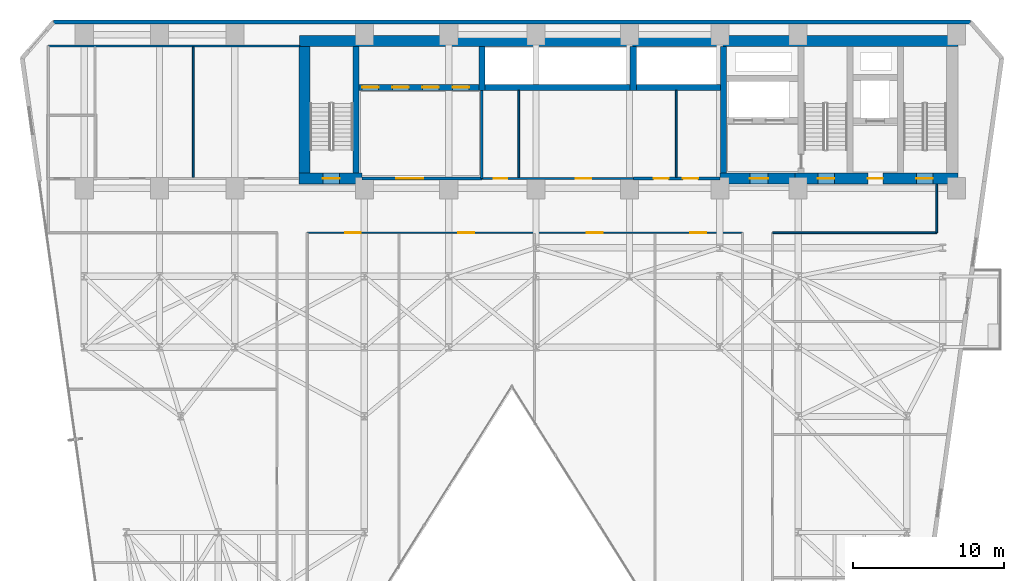
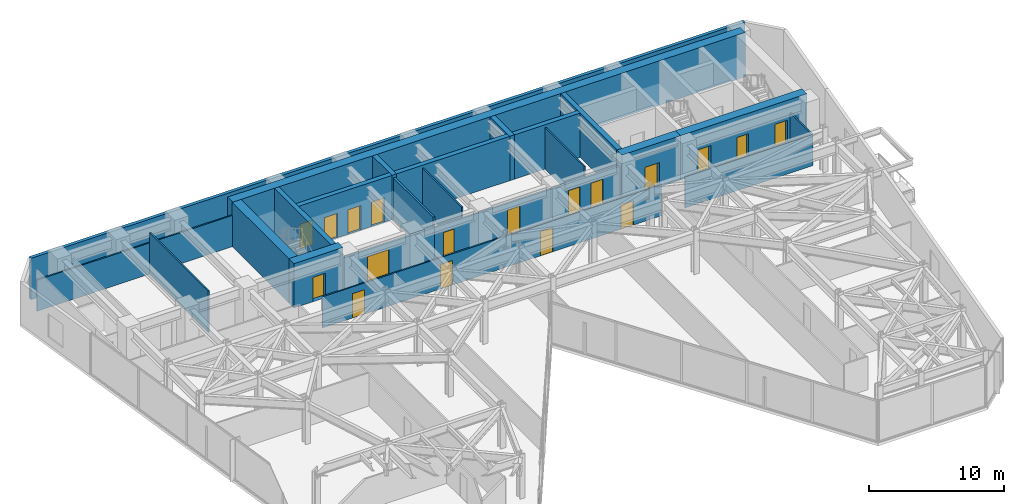
# One storey, part 20 of 25: 24 walls, 18 doors, 18 openings.
"""IFC4 building model written with IfcOpenShell, lengths in metres."""

from ifc_helpers import new_model, si_unit, direction, frame, frame_2d, origin, place, context, subcontext, project, spatial, rectangle, extrude, material, layer, layer_set, type_object, element, fill, save


model = new_model("IFC4")

# Units and contexts
model_context = context("Model", 3, precision=1e-05, world=origin(), true_north=direction((0.0, 1.0)))
body_context = subcontext(model_context, "Body", "Model", "MODEL_VIEW")
ifc_project = project(units=[si_unit("LENGTHUNIT", "METRE"), si_unit("AREAUNIT", "SQUARE_METRE"), si_unit("VOLUMEUNIT", "CUBIC_METRE"), si_unit("PLANEANGLEUNIT", "RADIAN"), si_unit("MASSUNIT", "GRAM", prefix="KILO")], contexts=[model_context])

# Site, building, storey
site_placement = place(None, origin())
site = spatial("IfcSite", under=ifc_project, at=site_placement, CompositionType="ELEMENT")
building_placement = place(site_placement, origin())
building = spatial("IfcBuilding", under=site, at=building_placement, Name="Kravanh Interchange Tower", CompositionType="ELEMENT")
storey_placement = place(building_placement, frame((0.0, 0.0, 73.5)))
storey = spatial("IfcBuildingStorey", under=building, at=storey_placement, Name="L17", CompositionType="ELEMENT", Elevation=73.5)

# Walls
ifc_material_1 = material(Name="Double Acoustic Gypsum Board and Mineral Wool")
ifc_layer_1 = layer(ifc_material_1, 0.1201171875)
ifc_layer_set_1 = layer_set([ifc_layer_1], Name="Acoustic Office Drywall Partition 120mm")
wall_type_1 = type_object("IfcWallType", Name="Acoustic Office Drywall Partition 120mm", PredefinedType="PARTITIONING", material=ifc_layer_set_1)
for number, where, z_axis, x_axis, name in (
    (1, (47.89990234375, 38.068115234375, 0.0), (0.0, 0.0, 1.0), (0.0, 1.0, 0.0), "L17 Interior Partition 2"),
    (2, (37.449951171875, 38.068115234375, 0.0), (0.0, 0.0, 1.0), (0.0, 1.0, 0.0), "L17 Interior Partition 6"),
):
    element("IfcWall", number, at=place(storey_placement, frame(where, z_axis=z_axis, x_axis=x_axis)), inside=storey, type_object=wall_type_1, Name=name, PredefinedType="PARTITIONING", context=body_context, shape_type="SweptSolid", body=[
        extrude(rectangle(XDim=5.77392578125, YDim=0.1201171875, at=frame_2d((2.886962890625, 0.0))), origin(), (0.0, 0.0, 1.0), 3.739990234375),
    ])
wall_1_placement = place(storey_placement, frame((6.219970703125, 46.800048828125, 0.0), z_axis=(0.0, 0.0, 1.0), x_axis=(1.0, 0.0, 0.0)))
element("IfcWall", 3, at=wall_1_placement, inside=storey, type_object=wall_type_1, Name="L17 Restroom North Enclosure 9", PredefinedType="PARTITIONING", context=body_context, shape_type="SweptSolid", body=[
    extrude(rectangle(XDim=16.679931640625, YDim=0.1201171875, at=frame_2d((8.33984375, 0.0))), origin(), (0.0, 0.0, 1.0), 2.81298828125),
])
wall_2_placement = place(storey_placement, frame((15.840087890625, 38.068115234375, 0.0), z_axis=(0.0, 0.0, 1.0), x_axis=(0.0, 1.0, 0.0)))
element("IfcWall", 4, at=wall_2_placement, inside=storey, type_object=wall_type_1, Name="L17 Interior Partition 11", PredefinedType="PARTITIONING", context=body_context, shape_type="SweptSolid", body=[
    extrude(rectangle(XDim=8.663818359375, YDim=0.1201171875, at=frame_2d((4.33203125, 0.0))), origin(), (0.0, 0.0, 1.0), 3.739990234375),
])

# Wall, openings, doors
wall_3_placement = place(storey_placement, frame((23.39990234375, 34.39990234375, 0.0), z_axis=(0.0, 0.0, 1.0), x_axis=(1.0, 0.0, 0.0)))
wall_3 = element("IfcWall", 5, at=wall_3_placement, inside=storey, type_object=wall_type_1, Name="L17 Interior Partition 14", PredefinedType="PARTITIONING", context=body_context, shape_type="SweptSolid", body=[
    extrude(rectangle(XDim=28.900146484375, YDim=0.1201171875, at=frame_2d((14.4501953125, 0.0))), origin(), (0.0, 0.0, 1.0), 2.81298828125),
])
opening_1_placement = place(wall_3_placement, frame((2.52490234375, 0.0, 0.0)))
opening_1 = element("IfcOpeningElement", 6, at=opening_1_placement, cuts=wall_3, Name="Opening D-105", PredefinedType="OPENING", context=body_context, shape_type="SweptSolid", body=[
    extrude(rectangle(XDim=1.050048828125, YDim=2.199951171875, at=frame_2d((0.52490234375, 1.10009765625))), frame((0.0, 0.070068359375, 0.0), z_axis=(0.0, -1.0, 0.0), x_axis=(1.0, 0.0, 0.0)), (0.0, 0.0, 1.0), 0.14013671875),
])
opening_2_placement = place(wall_3_placement, frame((10.034912109375, 0.0, 0.0)))
opening_2 = element("IfcOpeningElement", 7, at=opening_2_placement, cuts=wall_3, Name="Opening D-105", PredefinedType="OPENING", context=body_context, shape_type="SweptSolid", body=[
    extrude(rectangle(XDim=1.050048828125, YDim=2.199951171875, at=frame_2d((0.52490234375, 1.10009765625))), frame((0.0, 0.070068359375, 0.0), z_axis=(0.0, -1.0, 0.0), x_axis=(1.0, 0.0, 0.0)), (0.0, 0.0, 1.0), 0.14013671875),
])
opening_3_placement = place(wall_3_placement, frame((18.574951171875, 0.0, 0.0)))
opening_3 = element("IfcOpeningElement", 8, at=opening_3_placement, cuts=wall_3, Name="Opening D-105", PredefinedType="OPENING", context=body_context, shape_type="SweptSolid", body=[
    extrude(rectangle(XDim=1.050048828125, YDim=2.199951171875, at=frame_2d((0.52490234375, 1.10009765625))), frame((0.0, 0.070068359375, 0.0), z_axis=(0.0, -1.0, 0.0), x_axis=(1.0, 0.0, 0.0)), (0.0, 0.0, 1.0), 0.14013671875),
])
opening_4_placement = place(wall_3_placement, frame((25.434814453125, 0.0, 0.0)))
opening_4 = element("IfcOpeningElement", 9, at=opening_4_placement, cuts=wall_3, Name="Opening D-105", PredefinedType="OPENING", context=body_context, shape_type="SweptSolid", body=[
    extrude(rectangle(XDim=1.050048828125, YDim=2.199951171875, at=frame_2d((0.52490234375, 1.10009765625))), frame((0.0, 0.070068359375, 0.0), z_axis=(0.0, -1.0, 0.0), x_axis=(1.0, 0.0, 0.0)), (0.0, 0.0, 1.0), 0.14013671875),
])
ifc_material_2 = material(Name="Acoustic Glazed Oak and Aluminium", Category="aluminium")
door_type_1 = type_object("IfcDoorType", Name="Office Workplace Door 1050x2200", OperationType="NOTDEFINED", PredefinedType="DOOR", material=ifc_material_2)
door_1_placement = place(opening_1_placement, origin())
door_1 = element("IfcDoor", 10, at=door_1_placement, inside=storey, type_object=door_type_1, Name="L17 Diplomatic Caucus Meeting Door", OperationType="SINGLE_SWING_RIGHT", OverallHeight=2.199951171875, OverallWidth=1.050048828125, PredefinedType="DOOR", context=body_context, shape_type="SweptSolid", body=[
    extrude(rectangle(XDim=1.050048828125, YDim=2.199951171875, at=frame_2d((0.52490234375, 1.10009765625))), frame((0.0, 0.02490234375, 0.0), z_axis=(0.0, -1.0, 0.0), x_axis=(1.0, 0.0, 0.0)), (0.0, 0.0, 1.0), 0.050048828125),
])
fill(opening_1, door_1)
door_2_placement = place(opening_2_placement, origin())
door_2 = element("IfcDoor", 11, at=door_2_placement, inside=storey, type_object=door_type_1, Name="L17 Press Seminar Meeting Door", OperationType="SINGLE_SWING_LEFT", OverallHeight=2.199951171875, OverallWidth=1.050048828125, PredefinedType="DOOR", context=body_context, shape_type="SweptSolid", body=[
    extrude(rectangle(XDim=1.050048828125, YDim=2.199951171875, at=frame_2d((0.52490234375, 1.10009765625))), frame((0.0, 0.02490234375, 0.0), z_axis=(0.0, -1.0, 0.0), x_axis=(1.0, 0.0, 0.0)), (0.0, 0.0, 1.0), 0.050048828125),
])
fill(opening_2, door_2)
door_3_placement = place(opening_3_placement, origin())
door_3 = element("IfcDoor", 12, at=door_3_placement, inside=storey, type_object=door_type_1, Name="L17 Chancery Office Door", OperationType="SINGLE_SWING_RIGHT", OverallHeight=2.199951171875, OverallWidth=1.050048828125, PredefinedType="DOOR", context=body_context, shape_type="SweptSolid", body=[
    extrude(rectangle(XDim=1.050048828125, YDim=2.199951171875, at=frame_2d((0.52490234375, 1.10009765625))), frame((0.0, 0.02490234375, 0.0), z_axis=(0.0, -1.0, 0.0), x_axis=(1.0, 0.0, 0.0)), (0.0, 0.0, 1.0), 0.050048828125),
])
fill(opening_3, door_3)
door_4_placement = place(opening_4_placement, origin())
door_4 = element("IfcDoor", 13, at=door_4_placement, inside=storey, type_object=door_type_1, Name="L17 Butler Pantry Kitchenette Door", OperationType="SINGLE_SWING_LEFT", OverallHeight=2.199951171875, OverallWidth=1.050048828125, PredefinedType="DOOR", context=body_context, shape_type="SweptSolid", body=[
    extrude(rectangle(XDim=1.050048828125, YDim=2.199951171875, at=frame_2d((0.52490234375, 1.10009765625))), frame((0.0, 0.02490234375, 0.0), z_axis=(0.0, -1.0, 0.0), x_axis=(1.0, 0.0, 0.0)), (0.0, 0.0, 1.0), 0.050048828125),
])
fill(opening_4, door_4)

# Walls
wall_4_placement = place(storey_placement, frame((54.300048828125, 34.39990234375, 0.0), z_axis=(0.0, 0.0, 1.0), x_axis=(1.0, 0.0, 0.0)))
element("IfcWall", 14, at=wall_4_placement, inside=storey, type_object=wall_type_1, Name="L17 Interior Partition 15", PredefinedType="PARTITIONING", context=body_context, shape_type="SweptSolid", body=[
    extrude(rectangle(XDim=10.89990234375, YDim=0.1201171875, at=frame_2d((5.449951171875, 0.0))), origin(), (0.0, 0.0, 1.0), 2.81298828125),
])
wall_5_placement = place(storey_placement, frame((65.199951171875, 34.39990234375, 0.0), z_axis=(0.0, 0.0, 1.0), x_axis=(0.0, 1.0, 0.0)))
element("IfcWall", 15, at=wall_5_placement, inside=storey, type_object=wall_type_1, Name="L17 Interior Partition 17", PredefinedType="PARTITIONING", context=body_context, shape_type="SweptSolid", body=[
    extrude(rectangle(XDim=3.217041015625, YDim=0.1201171875, at=frame_2d((1.6083984375, 0.0))), origin(), (0.0, 0.0, 1.0), 2.81298828125),
])
ifc_material_3 = material(Name="Concrete C80/95", Category="concrete")
ifc_layer_2 = layer(ifc_material_3, 0.39990234375)
ifc_layer_set_2 = layer_set([ifc_layer_2], Name="Core Shear Wall Concrete C80/95 400mm")
wall_type_2 = type_object("IfcWallType", Name="Core Shear Wall Concrete C80/95 400mm", PredefinedType="SHEAR", material=ifc_layer_set_2)
wall_6_placement = place(storey_placement, frame((51.050048828125, 38.375, 0.0), z_axis=(0.0, 0.0, 1.0), x_axis=(0.0, 1.0, 0.0)))
element("IfcWall", 16, at=wall_6_placement, inside=storey, type_object=wall_type_2, Name="L17 Firefighting Lobby West Wall", PredefinedType="SHEAR", context=body_context, shape_type="SweptSolid", body=[
    extrude(rectangle(XDim=8.375, YDim=0.39990234375, at=frame_2d((4.1875, 0.0))), origin(), (0.0, 0.0, 1.0), 4.0),
])
wall_7_placement = place(storey_placement, frame((45.25, 44.050048828125, 0.0), z_axis=(0.0, 0.0, 1.0), x_axis=(1.0, 0.0, 0.0)))
element("IfcWall", 17, at=wall_7_placement, inside=storey, type_object=wall_type_2, Name="L17 High-Rise Lift Shaft South Wall", PredefinedType="SHEAR", context=body_context, shape_type="SweptSolid", body=[
    extrude(rectangle(XDim=5.60009765625, YDim=0.39990234375, at=frame_2d((2.800048828125, 0.0))), origin(), (0.0, 0.0, 1.0), 4.0),
])
wall_8_placement = place(storey_placement, frame((45.050048828125, 43.85009765625, 0.0), z_axis=(0.0, 0.0, 1.0), x_axis=(0.0, 1.0, 0.0)))
element("IfcWall", 18, at=wall_8_placement, inside=storey, type_object=wall_type_2, Name="L17 High-Rise Lift Shaft West Wall", PredefinedType="SHEAR", context=body_context, shape_type="SweptSolid", body=[
    extrude(rectangle(XDim=2.89990234375, YDim=0.39990234375, at=frame_2d((1.449951171875, 0.0))), origin(), (0.0, 0.0, 1.0), 4.0),
])
wall_9_placement = place(storey_placement, frame((35.199951171875, 44.050048828125, 0.0), z_axis=(0.0, 0.0, 1.0), x_axis=(1.0, 0.0, 0.0)))
element("IfcWall", 19, at=wall_9_placement, inside=storey, type_object=wall_type_2, Name="L17 Mid-Rise Lift Shaft South Wall", PredefinedType="SHEAR", context=body_context, shape_type="SweptSolid", body=[
    extrude(rectangle(XDim=9.650146484375, YDim=0.39990234375, at=frame_2d((4.8251953125, 0.0))), origin(), (0.0, 0.0, 1.0), 4.0),
])
wall_10_placement = place(storey_placement, frame((35.0, 43.85009765625, 0.0), z_axis=(0.0, 0.0, 1.0), x_axis=(0.0, 1.0, 0.0)))
element("IfcWall", 20, at=wall_10_placement, inside=storey, type_object=wall_type_2, Name="L17 Mid-Rise Lift Shaft West Wall", PredefinedType="SHEAR", context=body_context, shape_type="SweptSolid", body=[
    extrude(rectangle(XDim=2.89990234375, YDim=0.39990234375, at=frame_2d((1.449951171875, 0.0))), origin(), (0.0, 0.0, 1.0), 4.0),
])

# Wall, openings, doors
wall_11_placement = place(storey_placement, frame((26.85009765625, 44.050048828125, 0.0), z_axis=(0.0, 0.0, 1.0), x_axis=(1.0, 0.0, 0.0)))
wall_11 = element("IfcWall", 21, at=wall_11_placement, inside=storey, type_object=wall_type_2, Name="L17 Low-Rise Lift Shaft South Wall", PredefinedType="SHEAR", context=body_context, shape_type="SweptSolid", body=[
    extrude(rectangle(XDim=7.949951171875, YDim=0.39990234375, at=frame_2d((3.97509765625, 0.0))), origin(), (0.0, 0.0, 1.0), 4.0),
])
opening_5_placement = place(wall_11_placement, frame((0.199951171875, 0.0, 0.0)))
opening_5 = element("IfcOpeningElement", 22, at=opening_5_placement, cuts=wall_11, Name="Opening LD01", PredefinedType="OPENING", context=body_context, shape_type="SweptSolid", body=[
    extrude(rectangle(XDim=1.10009765625, YDim=2.199951171875, at=frame_2d((0.550048828125, 1.10009765625))), frame((0.0, 0.2099609375, 0.0), z_axis=(0.0, -1.0, 0.0), x_axis=(1.0, 0.0, 0.0)), (0.0, 0.0, 1.0), 0.419921875),
])
opening_6_placement = place(wall_11_placement, frame((2.199951171875, 0.0, 0.0)))
opening_6 = element("IfcOpeningElement", 23, at=opening_6_placement, cuts=wall_11, Name="Opening LD01", PredefinedType="OPENING", context=body_context, shape_type="SweptSolid", body=[
    extrude(rectangle(XDim=1.10009765625, YDim=2.199951171875, at=frame_2d((0.550048828125, 1.10009765625))), frame((0.0, 0.2099609375, 0.0), z_axis=(0.0, -1.0, 0.0), x_axis=(1.0, 0.0, 0.0)), (0.0, 0.0, 1.0), 0.419921875),
])
opening_7_placement = place(wall_11_placement, frame((4.199951171875, 0.0, 0.0)))
opening_7 = element("IfcOpeningElement", 24, at=opening_7_placement, cuts=wall_11, Name="Opening LD01", PredefinedType="OPENING", context=body_context, shape_type="SweptSolid", body=[
    extrude(rectangle(XDim=1.10009765625, YDim=2.199951171875, at=frame_2d((0.550048828125, 1.10009765625))), frame((0.0, 0.2099609375, 0.0), z_axis=(0.0, -1.0, 0.0), x_axis=(1.0, 0.0, 0.0)), (0.0, 0.0, 1.0), 0.419921875),
])
opening_8_placement = place(wall_11_placement, frame((6.199951171875, 0.0, 0.0)))
opening_8 = element("IfcOpeningElement", 25, at=opening_8_placement, cuts=wall_11, Name="Opening LD01", PredefinedType="OPENING", context=body_context, shape_type="SweptSolid", body=[
    extrude(rectangle(XDim=1.10009765625, YDim=2.199951171875, at=frame_2d((0.550048828125, 1.10009765625))), frame((0.0, 0.2099609375, 0.0), z_axis=(0.0, -1.0, 0.0), x_axis=(1.0, 0.0, 0.0)), (0.0, 0.0, 1.0), 0.419921875),
])
ifc_material_4 = material(Name="Stainless Steel 304", Category="steel")
door_type_2 = type_object("IfcDoorType", Name="Passenger Lift Sliding Landing Door 1100x2200", OperationType="DOUBLE_DOOR_SLIDING", PredefinedType="DOOR", material=ifc_material_4)
door_5_placement = place(opening_5_placement, origin())
door_5 = element("IfcDoor", 26, at=door_5_placement, inside=storey, type_object=door_type_2, Name="L17 Lift LP-L1 Landing Door", OperationType="DOUBLE_DOOR_SLIDING", OverallHeight=2.199951171875, OverallWidth=1.10009765625, PredefinedType="DOOR", context=body_context, shape_type="SweptSolid", body=[
    extrude(rectangle(XDim=1.10009765625, YDim=2.199951171875, at=frame_2d((0.550048828125, 1.10009765625))), frame((0.0, 0.02490234375, 0.0), z_axis=(0.0, -1.0, 0.0), x_axis=(1.0, 0.0, 0.0)), (0.0, 0.0, 1.0), 0.050048828125),
])
fill(opening_5, door_5)
door_6_placement = place(opening_6_placement, origin())
door_6 = element("IfcDoor", 27, at=door_6_placement, inside=storey, type_object=door_type_2, Name="L17 Lift LP-L2 Landing Door", OperationType="DOUBLE_DOOR_SLIDING", OverallHeight=2.199951171875, OverallWidth=1.10009765625, PredefinedType="DOOR", context=body_context, shape_type="SweptSolid", body=[
    extrude(rectangle(XDim=1.10009765625, YDim=2.199951171875, at=frame_2d((0.550048828125, 1.10009765625))), frame((0.0, 0.02490234375, 0.0), z_axis=(0.0, -1.0, 0.0), x_axis=(1.0, 0.0, 0.0)), (0.0, 0.0, 1.0), 0.050048828125),
])
fill(opening_6, door_6)
door_7_placement = place(opening_7_placement, origin())
door_7 = element("IfcDoor", 28, at=door_7_placement, inside=storey, type_object=door_type_2, Name="L17 Lift LP-L3 Landing Door", OperationType="DOUBLE_DOOR_SLIDING", OverallHeight=2.199951171875, OverallWidth=1.10009765625, PredefinedType="DOOR", context=body_context, shape_type="SweptSolid", body=[
    extrude(rectangle(XDim=1.10009765625, YDim=2.199951171875, at=frame_2d((0.550048828125, 1.10009765625))), frame((0.0, 0.02490234375, 0.0), z_axis=(0.0, -1.0, 0.0), x_axis=(1.0, 0.0, 0.0)), (0.0, 0.0, 1.0), 0.050048828125),
])
fill(opening_7, door_7)
door_8_placement = place(opening_8_placement, origin())
door_8 = element("IfcDoor", 29, at=door_8_placement, inside=storey, type_object=door_type_2, Name="L17 Lift LP-L4 Landing Door", OperationType="DOUBLE_DOOR_SLIDING", OverallHeight=2.199951171875, OverallWidth=1.10009765625, PredefinedType="DOOR", context=body_context, shape_type="SweptSolid", body=[
    extrude(rectangle(XDim=1.10009765625, YDim=2.199951171875, at=frame_2d((0.550048828125, 1.10009765625))), frame((0.0, 0.02490234375, 0.0), z_axis=(0.0, -1.0, 0.0), x_axis=(1.0, 0.0, 0.0)), (0.0, 0.0, 1.0), 0.050048828125),
])
fill(opening_8, door_8)

# Walls
wall_12_placement = place(storey_placement, frame((26.64990234375, 38.375, 0.0), z_axis=(0.0, 0.0, 1.0), x_axis=(0.0, 1.0, 0.0)))
element("IfcWall", 30, at=wall_12_placement, inside=storey, type_object=wall_type_2, Name="L17 Stair ST3 East Shear Wall", PredefinedType="SHEAR", context=body_context, shape_type="SweptSolid", body=[
    extrude(rectangle(XDim=8.375, YDim=0.39990234375, at=frame_2d((4.1875, 0.0))), origin(), (0.0, 0.0, 1.0), 4.0),
])
ifc_material_5 = material(Name="Concrete C80/95", Category="concrete")
ifc_layer_3 = layer(ifc_material_5, 0.75)
ifc_layer_set_3 = layer_set([ifc_layer_3], Name="Core Shear Wall Concrete C80/95 750mm")
wall_type_3 = type_object("IfcWallType", Name="Core Shear Wall Concrete C80/95 750mm", PredefinedType="SHEAR", material=ifc_layer_set_3)
wall_13_placement = place(storey_placement, frame((22.89990234375, 47.125, 0.0), z_axis=(0.0, 0.0, 1.0), x_axis=(1.0, 0.0, 0.0)))
element("IfcWall", 31, at=wall_13_placement, inside=storey, type_object=wall_type_3, Name="L17 North Core Shear Wall", PredefinedType="SHEAR", context=body_context, shape_type="SweptSolid", body=[
    extrude(rectangle(XDim=43.7001953125, YDim=0.75, at=frame_2d((21.85009765625, 0.0))), origin(), (0.0, 0.0, 1.0), 4.0),
])

# Wall, openings, doors
wall_14_placement = place(storey_placement, frame((55.800048828125, 38.0, 0.0), z_axis=(0.0, 0.0, 1.0), x_axis=(1.0, 0.0, 0.0)))
wall_14 = element("IfcWall", 32, at=wall_14_placement, inside=storey, type_object=wall_type_3, Name="L17 East Core South Shear Wall", PredefinedType="SHEAR", context=body_context, shape_type="SweptSolid", body=[
    extrude(rectangle(XDim=10.800048828125, YDim=0.75, at=frame_2d((5.39990234375, 0.0))), origin(), (0.0, 0.0, 1.0), 4.0),
])
opening_9_placement = place(wall_14_placement, frame((1.5, 0.0, 0.0)))
opening_9 = element("IfcOpeningElement", 33, at=opening_9_placement, cuts=wall_14, Name="Opening D-STAIR-110", PredefinedType="OPENING", context=body_context, shape_type="SweptSolid", body=[
    extrude(rectangle(XDim=1.10009765625, YDim=2.199951171875, at=frame_2d((0.550048828125, 1.10009765625))), frame((0.0, 0.385009765625, 0.0), z_axis=(0.0, -1.0, 0.0), x_axis=(1.0, 0.0, 0.0)), (0.0, 0.0, 1.0), 0.77001953125),
])
opening_10_placement = place(wall_14_placement, frame((4.820068359375, 0.0, 0.0)))
opening_10 = element("IfcOpeningElement", 34, at=opening_10_placement, cuts=wall_14, Name="Opening D-HOTEL-100", PredefinedType="OPENING", context=body_context, shape_type="SweptSolid", body=[
    extrude(rectangle(XDim=1.0, YDim=2.14990234375, at=frame_2d((0.5, 1.074951171875))), frame((0.0, 0.385009765625, 0.0), z_axis=(0.0, -1.0, 0.0), x_axis=(1.0, 0.0, 0.0)), (0.0, 0.0, 1.0), 0.77001953125),
])
opening_11_placement = place(wall_14_placement, frame((8.050048828125, 0.0, 0.0)))
opening_11 = element("IfcOpeningElement", 35, at=opening_11_placement, cuts=wall_14, Name="Opening D-STAIR-110", PredefinedType="OPENING", context=body_context, shape_type="SweptSolid", body=[
    extrude(rectangle(XDim=1.10009765625, YDim=2.199951171875, at=frame_2d((0.550048828125, 1.10009765625))), frame((0.0, 0.385009765625, 0.0), z_axis=(0.0, -1.0, 0.0), x_axis=(1.0, 0.0, 0.0)), (0.0, 0.0, 1.0), 0.77001953125),
])
ifc_material_6 = material(Name="Structural Steel S355", Category="steel")
door_type_3 = type_object("IfcDoorType", Name="Fire-Rated Exit Stair Door 1100x2200", OperationType="NOTDEFINED", PredefinedType="DOOR", material=ifc_material_6)
door_9_placement = place(opening_9_placement, origin())
door_9 = element("IfcDoor", 36, at=door_9_placement, inside=storey, type_object=door_type_3, Name="L17 Exit Stair ST2 Door", OperationType="SINGLE_SWING_RIGHT", OverallHeight=2.199951171875, OverallWidth=1.10009765625, PredefinedType="DOOR", context=body_context, shape_type="SweptSolid", body=[
    extrude(rectangle(XDim=1.10009765625, YDim=2.199951171875, at=frame_2d((0.550048828125, 1.10009765625))), frame((0.0, 0.02490234375, 0.0), z_axis=(0.0, -1.0, 0.0), x_axis=(1.0, 0.0, 0.0)), (0.0, 0.0, 1.0), 0.050048828125),
])
fill(opening_9, door_9)
door_10_placement = place(opening_11_placement, origin())
door_10 = element("IfcDoor", 37, at=door_10_placement, inside=storey, type_object=door_type_3, Name="L17 Exit Stair ST1 Door", OperationType="SINGLE_SWING_RIGHT", OverallHeight=2.199951171875, OverallWidth=1.10009765625, PredefinedType="DOOR", context=body_context, shape_type="SweptSolid", body=[
    extrude(rectangle(XDim=1.10009765625, YDim=2.199951171875, at=frame_2d((0.550048828125, 1.10009765625))), frame((0.0, 0.02490234375, 0.0), z_axis=(0.0, -1.0, 0.0), x_axis=(1.0, 0.0, 0.0)), (0.0, 0.0, 1.0), 0.050048828125),
])
fill(opening_11, door_10)
ifc_material_7 = material(Name="Fire-Rated Solid Timber Leaf", Category="wood")
door_type_4 = type_object("IfcDoorType", Name="Fire-Rated Suite Entrance Door 1000x2150", OperationType="NOTDEFINED", PredefinedType="DOOR", material=ifc_material_7)
door_11_placement = place(opening_10_placement, origin())
door_11 = element("IfcDoor", 38, at=door_11_placement, inside=storey, type_object=door_type_4, Name="L17 Service Lift Lobby Door", OperationType="SINGLE_SWING_RIGHT", OverallHeight=2.14990234375, OverallWidth=1.0, PredefinedType="DOOR", context=body_context, shape_type="SweptSolid", body=[
    extrude(rectangle(XDim=1.0, YDim=2.14990234375, at=frame_2d((0.5, 1.074951171875))), frame((0.0, 0.02490234375, 0.0), z_axis=(0.0, -1.0, 0.0), x_axis=(1.0, 0.0, 0.0)), (0.0, 0.0, 1.0), 0.050048828125),
])
fill(opening_10, door_11)

# Wall, opening, door
wall_15_placement = place(storey_placement, frame((50.800048828125, 38.0, 0.0), z_axis=(0.0, 0.0, 1.0), x_axis=(1.0, 0.0, 0.0)))
wall_15 = element("IfcWall", 39, at=wall_15_placement, inside=storey, type_object=wall_type_3, Name="L17 Firefighting Lobby South Shear Wall", PredefinedType="SHEAR", context=body_context, shape_type="SweptSolid", body=[
    extrude(rectangle(XDim=5.0, YDim=0.75, at=frame_2d((2.5, 0.0))), origin(), (0.0, 0.0, 1.0), 4.0),
])
opening_12_placement = place(wall_15_placement, frame((2.0, 0.0, 0.0)))
opening_12 = element("IfcOpeningElement", 40, at=opening_12_placement, cuts=wall_15, Name="Opening D-FSAE-120", PredefinedType="OPENING", context=body_context, shape_type="SweptSolid", body=[
    extrude(rectangle(XDim=1.199951171875, YDim=2.199951171875, at=frame_2d((0.60009765625, 1.10009765625))), frame((0.0, 0.385009765625, 0.0), z_axis=(0.0, -1.0, 0.0), x_axis=(1.0, 0.0, 0.0)), (0.0, 0.0, 1.0), 0.77001953125),
])
ifc_material_8 = material(Name="Structural Steel S355", Category="steel")
door_type_5 = type_object("IfcDoorType", Name="Fire-Rated Refuge and FSAE Door 1200x2200", OperationType="NOTDEFINED", PredefinedType="DOOR", material=ifc_material_8)
door_12_placement = place(opening_12_placement, origin())
door_12 = element("IfcDoor", 41, at=door_12_placement, inside=storey, type_object=door_type_5, Name="L17 Firefighting Lobby Corridor Door", OperationType="SINGLE_SWING_RIGHT", OverallHeight=2.199951171875, OverallWidth=1.199951171875, PredefinedType="DOOR", context=body_context, shape_type="SweptSolid", body=[
    extrude(rectangle(XDim=1.199951171875, YDim=2.199951171875, at=frame_2d((0.60009765625, 1.10009765625))), frame((0.0, 0.02490234375, 0.0), z_axis=(0.0, -1.0, 0.0), x_axis=(1.0, 0.0, 0.0)), (0.0, 0.0, 1.0), 0.050048828125),
])
fill(opening_12, door_12)

wall_16_placement = place(storey_placement, frame((22.85009765625, 38.0, 0.0), z_axis=(0.0, 0.0, 1.0), x_axis=(1.0, 0.0, 0.0)))
wall_16 = element("IfcWall", 42, at=wall_16_placement, inside=storey, type_object=wall_type_3, Name="L17 Stair ST3 South Shear Wall", PredefinedType="SHEAR", context=body_context, shape_type="SweptSolid", body=[
    extrude(rectangle(XDim=4.199951171875, YDim=0.75, at=frame_2d((2.10009765625, 0.0))), origin(), (0.0, 0.0, 1.0), 4.0),
])
opening_13_placement = place(wall_16_placement, frame((1.60009765625, 0.0, 0.0)))
opening_13 = element("IfcOpeningElement", 43, at=opening_13_placement, cuts=wall_16, Name="Opening D-STAIR-110", PredefinedType="OPENING", context=body_context, shape_type="SweptSolid", body=[
    extrude(rectangle(XDim=1.10009765625, YDim=2.199951171875, at=frame_2d((0.550048828125, 1.10009765625))), frame((0.0, 0.385009765625, 0.0), z_axis=(0.0, -1.0, 0.0), x_axis=(1.0, 0.0, 0.0)), (0.0, 0.0, 1.0), 0.77001953125),
])
door_13_placement = place(opening_13_placement, origin())
door_13 = element("IfcDoor", 44, at=door_13_placement, inside=storey, type_object=door_type_3, Name="L17 Exit Stair ST3 Door", OperationType="SINGLE_SWING_RIGHT", OverallHeight=2.199951171875, OverallWidth=1.10009765625, PredefinedType="DOOR", context=body_context, shape_type="SweptSolid", body=[
    extrude(rectangle(XDim=1.10009765625, YDim=2.199951171875, at=frame_2d((0.550048828125, 1.10009765625))), frame((0.0, 0.02490234375, 0.0), z_axis=(0.0, -1.0, 0.0), x_axis=(1.0, 0.0, 0.0)), (0.0, 0.0, 1.0), 0.050048828125),
])
fill(opening_13, door_13)

# Walls
wall_17_placement = place(storey_placement, frame((23.22509765625, 38.375, 0.0), z_axis=(0.0, 0.0, 1.0), x_axis=(0.0, 1.0, 0.0)))
element("IfcWall", 45, at=wall_17_placement, inside=storey, type_object=wall_type_3, Name="L17 Stair ST3 West Shear Wall", PredefinedType="SHEAR", context=body_context, shape_type="SweptSolid", body=[
    extrude(rectangle(XDim=8.375, YDim=0.75, at=frame_2d((4.1875, 0.0))), origin(), (0.0, 0.0, 1.0), 4.0),
])
ifc_material_9 = material(Name="Insulated Precast Concrete C40/50 with Bronze Cladding", Category="concrete")
ifc_layer_4 = layer(ifc_material_9, 0.280029296875)
ifc_layer_set_4 = layer_set([ifc_layer_4], Name="Exterior Insulated Concrete C40/50 Bronze Spandrel Wall 280mm")
wall_type_4 = type_object("IfcWallType", Name="Exterior Insulated Concrete C40/50 Bronze Spandrel Wall 280mm", PredefinedType="STANDARD", material=ifc_layer_set_4)
wall_18_placement = place(storey_placement, frame((6.5546875, 48.3798828125, 0.0), z_axis=(0.0, 0.0, 1.0), x_axis=(1.0, 0.0, 0.0)))
element("IfcWall", 46, at=wall_18_placement, inside=storey, type_object=wall_type_4, Name="L17 Exterior Wall 3", PredefinedType="STANDARD", context=body_context, shape_type="SweptSolid", body=[
    extrude(rectangle(XDim=60.890625, YDim=0.280029296875, at=frame_2d((30.4453125, 0.0))), origin(), (0.0, 0.0, 1.0), 3.739990234375),
])

# Wall, openings, doors
ifc_material_10 = material(Name="Autoclaved Aerated Concrete C30/37 Blockwork", Category="masonry")
ifc_layer_5 = layer(ifc_material_10, 0.179931640625)
ifc_layer_set_5 = layer_set([ifc_layer_5], Name="Fire-Rated Lobby and Corridor Wall Concrete C30/37 180mm")
wall_type_5 = type_object("IfcWallType", Name="Fire-Rated Lobby and Corridor Wall Concrete C30/37 180mm", PredefinedType="STANDARD", material=ifc_layer_set_5)
wall_19_placement = place(storey_placement, frame((45.050048828125, 38.0, 0.0), z_axis=(0.0, 0.0, 1.0), x_axis=(1.0, 0.0, 0.0)))
wall_19 = element("IfcWall", 47, at=wall_19_placement, inside=storey, type_object=wall_type_5, Name="L17 Core South Enclosure 1", PredefinedType="STANDARD", context=body_context, shape_type="SweptSolid", body=[
    extrude(rectangle(XDim=5.75, YDim=0.179931640625, at=frame_2d((2.875, 0.0))), origin(), (0.0, 0.0, 1.0), 2.81298828125),
])
opening_14_placement = place(wall_19_placement, frame((1.35009765625, 0.0, 0.0)))
opening_14 = element("IfcOpeningElement", 48, at=opening_14_placement, cuts=wall_19, Name="Opening D-HOTEL-100", PredefinedType="OPENING", context=body_context, shape_type="SweptSolid", body=[
    extrude(rectangle(XDim=1.0, YDim=2.14990234375, at=frame_2d((0.5, 1.074951171875))), frame((0.0, 0.10009765625, 0.0), z_axis=(0.0, -1.0, 0.0), x_axis=(1.0, 0.0, 0.0)), (0.0, 0.0, 1.0), 0.199951171875),
])
opening_15_placement = place(wall_19_placement, frame((3.300048828125, 0.0, 0.0)))
opening_15 = element("IfcOpeningElement", 49, at=opening_15_placement, cuts=wall_19, Name="Opening D-HOTEL-100", PredefinedType="OPENING", context=body_context, shape_type="SweptSolid", body=[
    extrude(rectangle(XDim=1.0, YDim=2.14990234375, at=frame_2d((0.5, 1.074951171875))), frame((0.0, 0.10009765625, 0.0), z_axis=(0.0, -1.0, 0.0), x_axis=(1.0, 0.0, 0.0)), (0.0, 0.0, 1.0), 0.199951171875),
])
door_14_placement = place(opening_14_placement, origin())
door_14 = element("IfcDoor", 50, at=door_14_placement, inside=storey, type_object=door_type_4, Name="L17 Core Switchroom Door", OperationType="SINGLE_SWING_RIGHT", OverallHeight=2.14990234375, OverallWidth=1.0, PredefinedType="DOOR", context=body_context, shape_type="SweptSolid", body=[
    extrude(rectangle(XDim=1.0, YDim=2.14990234375, at=frame_2d((0.5, 1.074951171875))), frame((0.0, 0.02490234375, 0.0), z_axis=(0.0, -1.0, 0.0), x_axis=(1.0, 0.0, 0.0)), (0.0, 0.0, 1.0), 0.050048828125),
])
fill(opening_14, door_14)
door_15_placement = place(opening_15_placement, origin())
door_15 = element("IfcDoor", 51, at=door_15_placement, inside=storey, type_object=door_type_4, Name="L17 Core Archive Door", OperationType="SINGLE_SWING_LEFT", OverallHeight=2.14990234375, OverallWidth=1.0, PredefinedType="DOOR", context=body_context, shape_type="SweptSolid", body=[
    extrude(rectangle(XDim=1.0, YDim=2.14990234375, at=frame_2d((0.5, 1.074951171875))), frame((0.0, 0.02490234375, 0.0), z_axis=(0.0, -1.0, 0.0), x_axis=(1.0, 0.0, 0.0)), (0.0, 0.0, 1.0), 0.050048828125),
])
fill(opening_15, door_15)

# Wall
wall_20_placement = place(storey_placement, frame((35.0, 38.0, 0.0), z_axis=(0.0, 0.0, 1.0), x_axis=(0.0, 1.0, 0.0)))
element("IfcWall", 52, at=wall_20_placement, inside=storey, type_object=wall_type_5, Name="L17 Low-Rise Lobby East Wall 3", PredefinedType="STANDARD", context=body_context, shape_type="SweptSolid", body=[
    extrude(rectangle(XDim=5.85009765625, YDim=0.179931640625, at=frame_2d((2.925048828125, 0.0))), origin(), (0.0, 0.0, 1.0), 3.739990234375),
])

# Wall, opening, door
wall_21_placement = place(storey_placement, frame((27.050048828125, 38.0, 0.0), z_axis=(0.0, 0.0, 1.0), x_axis=(1.0, 0.0, 0.0)))
wall_21 = element("IfcWall", 53, at=wall_21_placement, inside=storey, type_object=wall_type_5, Name="L17 Low-Rise Lobby South Wall 4", PredefinedType="STANDARD", context=body_context, shape_type="SweptSolid", body=[
    extrude(rectangle(XDim=7.949951171875, YDim=0.179931640625, at=frame_2d((3.97509765625, 0.0))), origin(), (0.0, 0.0, 1.0), 2.81298828125),
])
opening_16_placement = place(wall_21_placement, frame((2.25, 0.0, 0.0)))
opening_16 = element("IfcOpeningElement", 54, at=opening_16_placement, cuts=wall_21, Name="Opening DBL-180", PredefinedType="OPENING", context=body_context, shape_type="SweptSolid", body=[
    extrude(rectangle(XDim=1.800048828125, YDim=2.199951171875, at=frame_2d((0.89990234375, 1.10009765625))), frame((0.0, 0.10009765625, 0.0), z_axis=(0.0, -1.0, 0.0), x_axis=(1.0, 0.0, 0.0)), (0.0, 0.0, 1.0), 0.199951171875),
])
ifc_material_11 = material(Name="Structural Steel S355", Category="steel")
door_type_6 = type_object("IfcDoorType", Name="Lift Lobby Double Fire Door 1800x2200", OperationType="DOUBLE_DOOR_SINGLE_SWING", PredefinedType="DOOR", material=ifc_material_11)
door_16_placement = place(opening_16_placement, origin())
door_16 = element("IfcDoor", 55, at=door_16_placement, inside=storey, type_object=door_type_6, Name="L17 Low-Rise Lift Lobby Door", OperationType="DOUBLE_DOOR_SINGLE_SWING", OverallHeight=2.199951171875, OverallWidth=1.800048828125, PredefinedType="DOOR", context=body_context, shape_type="SweptSolid", body=[
    extrude(rectangle(XDim=1.800048828125, YDim=2.199951171875, at=frame_2d((0.89990234375, 1.10009765625))), frame((0.0, 0.02490234375, 0.0), z_axis=(0.0, -1.0, 0.0), x_axis=(1.0, 0.0, 0.0)), (0.0, 0.0, 1.0), 0.050048828125),
])
fill(opening_16, door_16)

# Wall, openings, doors
ifc_material_12 = material(Name="Twin Stud Acoustic Gypsum Board Wall")
ifc_layer_6 = layer(ifc_material_12, 0.14990234375)
ifc_layer_set_6 = layer_set([ifc_layer_6], Name="Medium-Duty Acoustic Partition 150mm")
wall_type_6 = type_object("IfcWallType", Name="Medium-Duty Acoustic Partition 150mm", PredefinedType="PARTITIONING", material=ifc_layer_set_6)
wall_22_placement = place(storey_placement, frame((35.0, 38.0, 0.0), z_axis=(0.0, 0.0, 1.0), x_axis=(1.0, 0.0, 0.0)))
wall_22 = element("IfcWall", 56, at=wall_22_placement, inside=storey, type_object=wall_type_6, Name="L17 Core Support South Wall 5", PredefinedType="PARTITIONING", context=body_context, shape_type="SweptSolid", body=[
    extrude(rectangle(XDim=10.050048828125, YDim=0.14990234375, at=frame_2d((5.02490234375, 0.0))), origin(), (0.0, 0.0, 1.0), 2.81298828125),
])
opening_17_placement = place(wall_22_placement, frame((0.78466796875, 0.0, 0.0)))
opening_17 = element("IfcOpeningElement", 57, at=opening_17_placement, cuts=wall_22, Name="Opening D-90", PredefinedType="OPENING", context=body_context, shape_type="SweptSolid", body=[
    extrude(rectangle(XDim=0.89990234375, YDim=2.10009765625, at=frame_2d((0.449951171875, 1.050048828125))), frame((0.0, 0.0849609375, 0.0), z_axis=(0.0, -1.0, 0.0), x_axis=(1.0, 0.0, 0.0)), (0.0, 0.0, 1.0), 0.169921875),
])
opening_18_placement = place(wall_22_placement, frame((6.22509765625, 0.0, 0.0)))
opening_18 = element("IfcOpeningElement", 58, at=opening_18_placement, cuts=wall_22, Name="Opening D-105", PredefinedType="OPENING", context=body_context, shape_type="SweptSolid", body=[
    extrude(rectangle(XDim=1.050048828125, YDim=2.199951171875, at=frame_2d((0.52490234375, 1.10009765625))), frame((0.0, 0.0849609375, 0.0), z_axis=(0.0, -1.0, 0.0), x_axis=(1.0, 0.0, 0.0)), (0.0, 0.0, 1.0), 0.169921875),
])
door_17_placement = place(opening_18_placement, origin())
door_17 = element("IfcDoor", 59, at=door_17_placement, inside=storey, type_object=door_type_1, Name="L17 Tenant Pantry Door", OperationType="SINGLE_SWING_LEFT", OverallHeight=2.199951171875, OverallWidth=1.050048828125, PredefinedType="DOOR", context=body_context, shape_type="SweptSolid", body=[
    extrude(rectangle(XDim=1.050048828125, YDim=2.199951171875, at=frame_2d((0.52490234375, 1.10009765625))), frame((0.0, 0.02490234375, 0.0), z_axis=(0.0, -1.0, 0.0), x_axis=(1.0, 0.0, 0.0)), (0.0, 0.0, 1.0), 0.050048828125),
])
fill(opening_18, door_17)
ifc_material_13 = material(Name="Painted Solid-Core Timber", Category="wood")
door_type_7 = type_object("IfcDoorType", Name="Service Room Door 900x2100", OperationType="NOTDEFINED", PredefinedType="DOOR", material=ifc_material_13)
door_18_placement = place(opening_17_placement, origin())
door_18 = element("IfcDoor", 60, at=door_18_placement, inside=storey, type_object=door_type_7, Name="L17 Riser Store Door", OperationType="SINGLE_SWING_RIGHT", OverallHeight=2.10009765625, OverallWidth=0.89990234375, PredefinedType="DOOR", context=body_context, shape_type="SweptSolid", body=[
    extrude(rectangle(XDim=0.89990234375, YDim=2.10009765625, at=frame_2d((0.449951171875, 1.050048828125))), frame((0.0, 0.02490234375, 0.0), z_axis=(0.0, -1.0, 0.0), x_axis=(1.0, 0.0, 0.0)), (0.0, 0.0, 1.0), 0.050048828125),
])
fill(opening_17, door_18)

save(model, "model.ifc")
